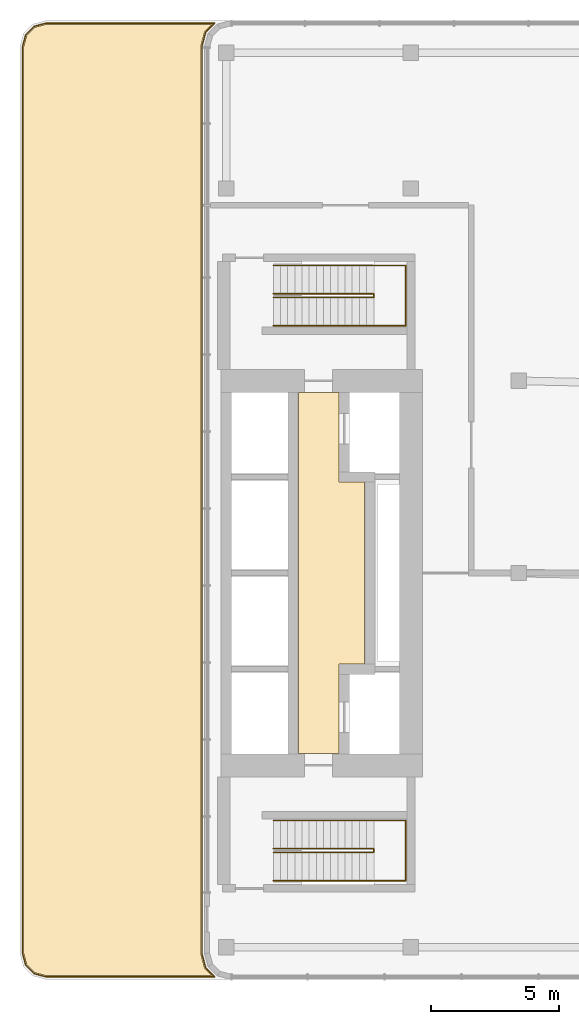
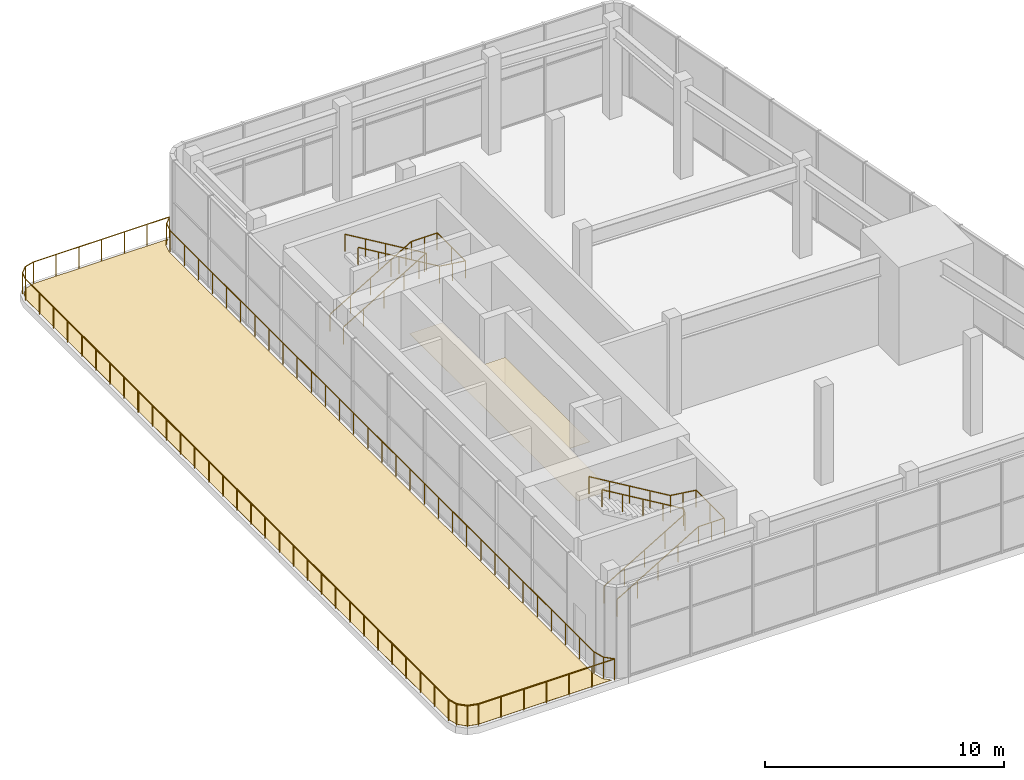
# One storey, part 8 of 8: 5 railings, 2 coverings.
"""IFC4 building model written with IfcOpenShell, lengths in metres."""

from ifc_helpers import new_model, si_unit, direction, frame, origin, origin_2d, place, context, subcontext, project, spatial, polyline, circle, outline, extrude, material, layer, layer_set, type_object, element, save


model = new_model("IFC4")

# Units and contexts
model_context = context("Model", 3, precision=1e-05, world=origin(), true_north=direction((0.0, 1.0)))
body_context = subcontext(model_context, "Body", "Model", "MODEL_VIEW")
ifc_project = project(units=[si_unit("LENGTHUNIT", "METRE"), si_unit("AREAUNIT", "SQUARE_METRE"), si_unit("VOLUMEUNIT", "CUBIC_METRE"), si_unit("PLANEANGLEUNIT", "RADIAN"), si_unit("MASSUNIT", "GRAM", prefix="KILO")], contexts=[model_context])

# Site, building, storey
site_placement = place(None, origin())
site = spatial("IfcSite", under=ifc_project, at=site_placement, CompositionType="ELEMENT")
building_placement = place(site_placement, origin())
building = spatial("IfcBuilding", under=site, at=building_placement, Name="Sheger Commons Tower", CompositionType="ELEMENT")
storey_placement = place(building_placement, frame((0.0, 0.0, 296.60009765625)))
storey = spatial("IfcBuildingStorey", under=building, at=storey_placement, Name="L76", CompositionType="ELEMENT", Elevation=296.60009765625)

# Railings
ifc_material_1 = material(Name="Black steel guard with glass infill", Category="steel")
railing_type_1 = type_object("IfcRailingType", Name="GUARD 1100", PredefinedType="GUARDRAIL", material=ifc_material_1)
railing_1_placement = place(storey_placement, frame((14.56298828125, 6.75, 0.0)))
element("IfcRailing", 1, at=railing_1_placement, inside=storey, type_object=railing_type_1, Name="Roof guard L76", PredefinedType="GUARDRAIL", context=body_context, shape_type="SweptSolid", body=[
    extrude(circle(Radius=0.02392578125, at=origin_2d()), frame((0.0, 0.0, 1.0771484375), z_axis=(-0.965655254015, 0.259826731483, 0.0), x_axis=(-0.259826731483, -0.965655254015, 0.0)), (0.0, 0.0, 1.0), 0.477294921875),
    extrude(circle(Radius=0.02392578125, at=origin_2d()), frame((-0.4609375, 0.1240234375, 1.0771484375), z_axis=(-0.707369890659, 0.706843573776, 0.0), x_axis=(-0.706843573776, -0.707369890659, 0.0)), (0.0, 0.0, 1.0), 0.4638671875),
    extrude(circle(Radius=0.02392578125, at=origin_2d()), frame((-0.7890625, 0.451904296875, 1.0771484375), z_axis=(-0.259698463175, 0.965689757751, 0.0), x_axis=(-0.965689757751, -0.259698463175, 0.0)), (0.0, 0.0, 1.0), 0.4775390625),
    extrude(circle(Radius=0.02392578125, at=origin_2d()), frame((-0.9130859375, 0.9130859375, 1.0771484375), z_axis=(0.0, 1.0, 0.0), x_axis=(-1.0, 0.0, 0.0)), (0.0, 0.0, 1.0), 35.3740234375),
    extrude(circle(Radius=0.02392578125, at=origin_2d()), frame((-0.9130859375, 36.287109375, 1.0771484375), z_axis=(0.259826731483, 0.965655254015, 0.0), x_axis=(-0.965655254015, 0.259826731483, 0.0)), (0.0, 0.0, 1.0), 0.477294921875),
    extrude(circle(Radius=0.02392578125, at=origin_2d()), frame((-0.7890625, 36.748046875, 1.0771484375), z_axis=(0.707369890659, 0.706843573776, 0.0), x_axis=(-0.706843573776, 0.707369890659, 0.0)), (0.0, 0.0, 1.0), 0.4638671875),
    extrude(circle(Radius=0.02392578125, at=origin_2d()), frame((-0.4609375, 37.075927734375, 1.0771484375), z_axis=(0.965655254015, 0.259826731483, 0.0), x_axis=(-0.259826731483, 0.965655254015, 0.0)), (0.0, 0.0, 1.0), 0.477294921875),
    extrude(circle(Radius=0.02392578125, at=origin_2d()), frame((0.0, 37.199951171875, 1.0771484375), z_axis=(1.0, 0.0, 0.0), x_axis=(0.0, 1.0, 0.0)), (0.0, 0.0, 1.0), 6.580078125),
    extrude(circle(Radius=0.02392578125, at=origin_2d()), frame((6.580078125, 37.199951171875, 1.0771484375), z_axis=(-0.708344060548, -0.705867333064, 0.0), x_axis=(0.705867333064, -0.708344060548, 0.0)), (0.0, 0.0, 1.0), 0.492919921875),
    extrude(circle(Radius=0.02392578125, at=origin_2d()), frame((6.23095703125, 36.85205078125, 1.0771484375), z_axis=(-0.258152815448, -0.966104095777, 0.0), x_axis=(0.966104095777, -0.258152815448, 0.0)), (0.0, 0.0, 1.0), 0.557861328125),
    extrude(circle(Radius=0.02392578125, at=origin_2d()), frame((6.0869140625, 36.31298828125, 1.0771484375), z_axis=(0.0, -1.0, 0.0), x_axis=(1.0, 0.0, 0.0)), (0.0, 0.0, 1.0), 35.426025390625),
    extrude(circle(Radius=0.02392578125, at=origin_2d()), frame((6.0869140625, 0.886962890625, 1.0771484375), z_axis=(0.258152815448, -0.966104095777, 0.0), x_axis=(0.966104095777, 0.258152815448, 0.0)), (0.0, 0.0, 1.0), 0.557861328125),
    extrude(circle(Radius=0.02392578125, at=origin_2d()), frame((6.23095703125, 0.347900390625, 1.0771484375), z_axis=(0.708344060548, -0.705867333064, 0.0), x_axis=(0.705867333064, 0.708344060548, 0.0)), (0.0, 0.0, 1.0), 0.492919921875),
    extrude(circle(Radius=0.02392578125, at=origin_2d()), frame((6.580078125, 0.0, 1.0771484375), z_axis=(-1.0, 0.0, 0.0), x_axis=(0.0, -1.0, 0.0)), (0.0, 0.0, 1.0), 6.580078125),
    extrude(circle(Radius=0.02099609375, at=origin_2d()), origin(), (0.0, 0.0, 1.0), 1.052001953125),
    extrude(circle(Radius=0.02099609375, at=origin_2d()), frame((-0.4609375, 0.1240234375, 0.0)), (0.0, 0.0, 1.0), 1.052001953125),
    extrude(circle(Radius=0.02099609375, at=origin_2d()), frame((-0.7890625, 0.451904296875, 0.0)), (0.0, 0.0, 1.0), 1.052001953125),
    extrude(circle(Radius=0.02099609375, at=origin_2d()), frame((-0.9130859375, 0.9130859375, 0.0)), (0.0, 0.0, 1.0), 1.052001953125),
    extrude(circle(Radius=0.02099609375, at=origin_2d()), frame((-0.9130859375, 2.09228515625, 0.0)), (0.0, 0.0, 1.0), 1.052001953125),
    extrude(circle(Radius=0.02099609375, at=origin_2d()), frame((-0.9130859375, 3.271240234375, 0.0)), (0.0, 0.0, 1.0), 1.052001953125),
    extrude(circle(Radius=0.02099609375, at=origin_2d()), frame((-0.9130859375, 4.450439453125, 0.0)), (0.0, 0.0, 1.0), 1.052001953125),
    extrude(circle(Radius=0.02099609375, at=origin_2d()), frame((-0.9130859375, 5.629638671875, 0.0)), (0.0, 0.0, 1.0), 1.052001953125),
    extrude(circle(Radius=0.02099609375, at=origin_2d()), frame((-0.9130859375, 6.808837890625, 0.0)), (0.0, 0.0, 1.0), 1.052001953125),
    extrude(circle(Radius=0.02099609375, at=origin_2d()), frame((-0.9130859375, 7.98779296875, 0.0)), (0.0, 0.0, 1.0), 1.052001953125),
    extrude(circle(Radius=0.02099609375, at=origin_2d()), frame((-0.9130859375, 9.1669921875, 0.0)), (0.0, 0.0, 1.0), 1.052001953125),
    extrude(circle(Radius=0.02099609375, at=origin_2d()), frame((-0.9130859375, 10.34619140625, 0.0)), (0.0, 0.0, 1.0), 1.052001953125),
    extrude(circle(Radius=0.02099609375, at=origin_2d()), frame((-0.9130859375, 11.525390625, 0.0)), (0.0, 0.0, 1.0), 1.052001953125),
    extrude(circle(Radius=0.02099609375, at=origin_2d()), frame((-0.9130859375, 12.704345703125, 0.0)), (0.0, 0.0, 1.0), 1.052001953125),
    extrude(circle(Radius=0.02099609375, at=origin_2d()), frame((-0.9130859375, 13.883544921875, 0.0)), (0.0, 0.0, 1.0), 1.052001953125),
    extrude(circle(Radius=0.02099609375, at=origin_2d()), frame((-0.9130859375, 15.062744140625, 0.0)), (0.0, 0.0, 1.0), 1.052001953125),
    extrude(circle(Radius=0.02099609375, at=origin_2d()), frame((-0.9130859375, 16.241943359375, 0.0)), (0.0, 0.0, 1.0), 1.052001953125),
    extrude(circle(Radius=0.02099609375, at=origin_2d()), frame((-0.9130859375, 17.4208984375, 0.0)), (0.0, 0.0, 1.0), 1.052001953125),
    extrude(circle(Radius=0.02099609375, at=origin_2d()), frame((-0.9130859375, 18.60009765625, 0.0)), (0.0, 0.0, 1.0), 1.052001953125),
    extrude(circle(Radius=0.02099609375, at=origin_2d()), frame((-0.9130859375, 19.779296875, 0.0)), (0.0, 0.0, 1.0), 1.052001953125),
    extrude(circle(Radius=0.02099609375, at=origin_2d()), frame((-0.9130859375, 20.958251953125, 0.0)), (0.0, 0.0, 1.0), 1.052001953125),
    extrude(circle(Radius=0.02099609375, at=origin_2d()), frame((-0.9130859375, 22.137451171875, 0.0)), (0.0, 0.0, 1.0), 1.052001953125),
    extrude(circle(Radius=0.02099609375, at=origin_2d()), frame((-0.9130859375, 23.316650390625, 0.0)), (0.0, 0.0, 1.0), 1.052001953125),
    extrude(circle(Radius=0.02099609375, at=origin_2d()), frame((-0.9130859375, 24.495849609375, 0.0)), (0.0, 0.0, 1.0), 1.052001953125),
    extrude(circle(Radius=0.02099609375, at=origin_2d()), frame((-0.9130859375, 25.6748046875, 0.0)), (0.0, 0.0, 1.0), 1.052001953125),
    extrude(circle(Radius=0.02099609375, at=origin_2d()), frame((-0.9130859375, 26.85400390625, 0.0)), (0.0, 0.0, 1.0), 1.052001953125),
    extrude(circle(Radius=0.02099609375, at=origin_2d()), frame((-0.9130859375, 28.033203125, 0.0)), (0.0, 0.0, 1.0), 1.052001953125),
    extrude(circle(Radius=0.02099609375, at=origin_2d()), frame((-0.9130859375, 29.21240234375, 0.0)), (0.0, 0.0, 1.0), 1.052001953125),
    extrude(circle(Radius=0.02099609375, at=origin_2d()), frame((-0.9130859375, 30.391357421875, 0.0)), (0.0, 0.0, 1.0), 1.052001953125),
    extrude(circle(Radius=0.02099609375, at=origin_2d()), frame((-0.9130859375, 31.570556640625, 0.0)), (0.0, 0.0, 1.0), 1.052001953125),
    extrude(circle(Radius=0.02099609375, at=origin_2d()), frame((-0.9130859375, 32.749755859375, 0.0)), (0.0, 0.0, 1.0), 1.052001953125),
    extrude(circle(Radius=0.02099609375, at=origin_2d()), frame((-0.9130859375, 33.928955078125, 0.0)), (0.0, 0.0, 1.0), 1.052001953125),
    extrude(circle(Radius=0.02099609375, at=origin_2d()), frame((-0.9130859375, 35.10791015625, 0.0)), (0.0, 0.0, 1.0), 1.052001953125),
    extrude(circle(Radius=0.02099609375, at=origin_2d()), frame((-0.9130859375, 36.287109375, 0.0)), (0.0, 0.0, 1.0), 1.052001953125),
    extrude(circle(Radius=0.02099609375, at=origin_2d()), frame((-0.7890625, 36.748046875, 0.0)), (0.0, 0.0, 1.0), 1.052001953125),
    extrude(circle(Radius=0.02099609375, at=origin_2d()), frame((-0.4609375, 37.075927734375, 0.0)), (0.0, 0.0, 1.0), 1.052001953125),
    extrude(circle(Radius=0.02099609375, at=origin_2d()), frame((0.0, 37.199951171875, 0.0)), (0.0, 0.0, 1.0), 1.052001953125),
    extrude(circle(Radius=0.02099609375, at=origin_2d()), frame((1.0966796875, 37.199951171875, 0.0)), (0.0, 0.0, 1.0), 1.052001953125),
    extrude(circle(Radius=0.02099609375, at=origin_2d()), frame((2.193359375, 37.199951171875, 0.0)), (0.0, 0.0, 1.0), 1.052001953125),
    extrude(circle(Radius=0.02099609375, at=origin_2d()), frame((3.2900390625, 37.199951171875, 0.0)), (0.0, 0.0, 1.0), 1.052001953125),
    extrude(circle(Radius=0.02099609375, at=origin_2d()), frame((4.38671875, 37.199951171875, 0.0)), (0.0, 0.0, 1.0), 1.052001953125),
    extrude(circle(Radius=0.02099609375, at=origin_2d()), frame((5.4833984375, 37.199951171875, 0.0)), (0.0, 0.0, 1.0), 1.052001953125),
    extrude(circle(Radius=0.02099609375, at=origin_2d()), frame((6.580078125, 37.199951171875, 0.0)), (0.0, 0.0, 1.0), 1.052001953125),
    extrude(circle(Radius=0.02099609375, at=origin_2d()), frame((6.23095703125, 36.85205078125, 0.0)), (0.0, 0.0, 1.0), 1.052001953125),
    extrude(circle(Radius=0.02099609375, at=origin_2d()), frame((6.0869140625, 36.31298828125, 0.0)), (0.0, 0.0, 1.0), 1.052001953125),
    extrude(circle(Radius=0.02099609375, at=origin_2d()), frame((6.0869140625, 35.132080078125, 0.0)), (0.0, 0.0, 1.0), 1.052001953125),
    extrude(circle(Radius=0.02099609375, at=origin_2d()), frame((6.0869140625, 33.951171875, 0.0)), (0.0, 0.0, 1.0), 1.052001953125),
    extrude(circle(Radius=0.02099609375, at=origin_2d()), frame((6.0869140625, 32.7705078125, 0.0)), (0.0, 0.0, 1.0), 1.052001953125),
    extrude(circle(Radius=0.02099609375, at=origin_2d()), frame((6.0869140625, 31.589599609375, 0.0)), (0.0, 0.0, 1.0), 1.052001953125),
    extrude(circle(Radius=0.02099609375, at=origin_2d()), frame((6.0869140625, 30.40869140625, 0.0)), (0.0, 0.0, 1.0), 1.052001953125),
    extrude(circle(Radius=0.02099609375, at=origin_2d()), frame((6.0869140625, 29.227783203125, 0.0)), (0.0, 0.0, 1.0), 1.052001953125),
    extrude(circle(Radius=0.02099609375, at=origin_2d()), frame((6.0869140625, 28.046875, 0.0)), (0.0, 0.0, 1.0), 1.052001953125),
    extrude(circle(Radius=0.02099609375, at=origin_2d()), frame((6.0869140625, 26.865966796875, 0.0)), (0.0, 0.0, 1.0), 1.052001953125),
    extrude(circle(Radius=0.02099609375, at=origin_2d()), frame((6.0869140625, 25.68505859375, 0.0)), (0.0, 0.0, 1.0), 1.052001953125),
    extrude(circle(Radius=0.02099609375, at=origin_2d()), frame((6.0869140625, 24.50439453125, 0.0)), (0.0, 0.0, 1.0), 1.052001953125),
    extrude(circle(Radius=0.02099609375, at=origin_2d()), frame((6.0869140625, 23.323486328125, 0.0)), (0.0, 0.0, 1.0), 1.052001953125),
    extrude(circle(Radius=0.02099609375, at=origin_2d()), frame((6.0869140625, 22.142578125, 0.0)), (0.0, 0.0, 1.0), 1.052001953125),
    extrude(circle(Radius=0.02099609375, at=origin_2d()), frame((6.0869140625, 20.961669921875, 0.0)), (0.0, 0.0, 1.0), 1.052001953125),
    extrude(circle(Radius=0.02099609375, at=origin_2d()), frame((6.0869140625, 19.78076171875, 0.0)), (0.0, 0.0, 1.0), 1.052001953125),
    extrude(circle(Radius=0.02099609375, at=origin_2d()), frame((6.0869140625, 18.60009765625, 0.0)), (0.0, 0.0, 1.0), 1.052001953125),
    extrude(circle(Radius=0.02099609375, at=origin_2d()), frame((6.0869140625, 17.419189453125, 0.0)), (0.0, 0.0, 1.0), 1.052001953125),
    extrude(circle(Radius=0.02099609375, at=origin_2d()), frame((6.0869140625, 16.23828125, 0.0)), (0.0, 0.0, 1.0), 1.052001953125),
    extrude(circle(Radius=0.02099609375, at=origin_2d()), frame((6.0869140625, 15.057373046875, 0.0)), (0.0, 0.0, 1.0), 1.052001953125),
    extrude(circle(Radius=0.02099609375, at=origin_2d()), frame((6.0869140625, 13.87646484375, 0.0)), (0.0, 0.0, 1.0), 1.052001953125),
    extrude(circle(Radius=0.02099609375, at=origin_2d()), frame((6.0869140625, 12.695556640625, 0.0)), (0.0, 0.0, 1.0), 1.052001953125),
    extrude(circle(Radius=0.02099609375, at=origin_2d()), frame((6.0869140625, 11.5146484375, 0.0)), (0.0, 0.0, 1.0), 1.052001953125),
    extrude(circle(Radius=0.02099609375, at=origin_2d()), frame((6.0869140625, 10.333984375, 0.0)), (0.0, 0.0, 1.0), 1.052001953125),
    extrude(circle(Radius=0.02099609375, at=origin_2d()), frame((6.0869140625, 9.153076171875, 0.0)), (0.0, 0.0, 1.0), 1.052001953125),
    extrude(circle(Radius=0.02099609375, at=origin_2d()), frame((6.0869140625, 7.97216796875, 0.0)), (0.0, 0.0, 1.0), 1.052001953125),
    extrude(circle(Radius=0.02099609375, at=origin_2d()), frame((6.0869140625, 6.791259765625, 0.0)), (0.0, 0.0, 1.0), 1.052001953125),
    extrude(circle(Radius=0.02099609375, at=origin_2d()), frame((6.0869140625, 5.6103515625, 0.0)), (0.0, 0.0, 1.0), 1.052001953125),
    extrude(circle(Radius=0.02099609375, at=origin_2d()), frame((6.0869140625, 4.4296875, 0.0)), (0.0, 0.0, 1.0), 1.052001953125),
    extrude(circle(Radius=0.02099609375, at=origin_2d()), frame((6.0869140625, 3.248779296875, 0.0)), (0.0, 0.0, 1.0), 1.052001953125),
    extrude(circle(Radius=0.02099609375, at=origin_2d()), frame((6.0869140625, 2.06787109375, 0.0)), (0.0, 0.0, 1.0), 1.052001953125),
    extrude(circle(Radius=0.02099609375, at=origin_2d()), frame((6.0869140625, 0.886962890625, 0.0)), (0.0, 0.0, 1.0), 1.052001953125),
    extrude(circle(Radius=0.02099609375, at=origin_2d()), frame((6.23095703125, 0.347900390625, 0.0)), (0.0, 0.0, 1.0), 1.052001953125),
    extrude(circle(Radius=0.02099609375, at=origin_2d()), frame((6.580078125, 0.0, 0.0)), (0.0, 0.0, 1.0), 1.052001953125),
    extrude(circle(Radius=0.02099609375, at=origin_2d()), frame((5.4833984375, 0.0, 0.0)), (0.0, 0.0, 1.0), 1.052001953125),
    extrude(circle(Radius=0.02099609375, at=origin_2d()), frame((4.38671875, 0.0, 0.0)), (0.0, 0.0, 1.0), 1.052001953125),
    extrude(circle(Radius=0.02099609375, at=origin_2d()), frame((3.2900390625, 0.0, 0.0)), (0.0, 0.0, 1.0), 1.052001953125),
    extrude(circle(Radius=0.02099609375, at=origin_2d()), frame((2.193359375, 0.0, 0.0)), (0.0, 0.0, 1.0), 1.052001953125),
    extrude(circle(Radius=0.02099609375, at=origin_2d()), frame((1.0966796875, 0.0, 0.0)), (0.0, 0.0, 1.0), 1.052001953125),
])
ifc_material_2 = material(Name="Steel handrail, black powder-coated", Category="steel")
railing_type_2 = type_object("IfcRailingType", Name="HANDRAIL 900", PredefinedType="HANDRAIL", material=ifc_material_2)
railing_2_placement = place(storey_placement, frame((23.429931640625, 11.60009765625, 0.16650390625)))
element("IfcRailing", 2, at=railing_2_placement, inside=storey, type_object=railing_type_2, Name="Stair S1 handrail L76", PredefinedType="HANDRAIL", context=body_context, shape_type="SweptSolid", body=[
    extrude(circle(Radius=0.02392578125, at=origin_2d()), frame((0.0, 0.0, 0.8759765625), z_axis=(0.859286724212, 0.0, 0.511494208758), x_axis=(0.0, 1.0, 0.0)), (0.0, 0.0, 1.0), 4.56201171875),
    extrude(circle(Radius=0.02392578125, at=origin_2d()), frame((3.920166015625, 0.0, 3.20947265625), z_axis=(0.0, 0.669085133364, 0.743185767027), x_axis=(-1.0, 0.0, 0.0)), (0.0, 0.0, 1.0), 0.22412109375),
    extrude(circle(Radius=0.02392578125, at=origin_2d()), frame((3.920166015625, 0.14990234375, 3.3759765625), z_axis=(-0.859286724212, 0.0, 0.511494208758), x_axis=(0.0, -1.0, 0.0)), (0.0, 0.0, 1.0), 4.56201171875),
    extrude(circle(Radius=0.02099609375, at=origin_2d()), origin(), (0.0, 0.0, 1.0), 0.851806640625),
    extrude(circle(Radius=0.02099609375, at=origin_2d()), frame((0.97998046875, 0.0, 0.58349609375)), (0.0, 0.0, 1.0), 0.851806640625),
    extrude(circle(Radius=0.02099609375, at=origin_2d()), frame((1.9599609375, 0.0, 1.166748046875)), (0.0, 0.0, 1.0), 0.851806640625),
    extrude(circle(Radius=0.02099609375, at=origin_2d()), frame((2.940185546875, 0.0, 1.75)), (0.0, 0.0, 1.0), 0.851806640625),
    extrude(circle(Radius=0.02099609375, at=origin_2d()), frame((3.920166015625, 0.0, 2.33349609375)), (0.0, 0.0, 1.0), 0.851806640625),
    extrude(circle(Radius=0.02099609375, at=origin_2d()), frame((3.920166015625, 0.14990234375, 2.5)), (0.0, 0.0, 1.0), 0.851806640625),
    extrude(circle(Radius=0.02099609375, at=origin_2d()), frame((2.940185546875, 0.14990234375, 3.08349609375)), (0.0, 0.0, 1.0), 0.851806640625),
    extrude(circle(Radius=0.02099609375, at=origin_2d()), frame((1.9599609375, 0.14990234375, 3.666748046875)), (0.0, 0.0, 1.0), 0.851806640625),
    extrude(circle(Radius=0.02099609375, at=origin_2d()), frame((0.97998046875, 0.14990234375, 4.25)), (0.0, 0.0, 1.0), 0.851806640625),
    extrude(circle(Radius=0.02099609375, at=origin_2d()), frame((0.0, 0.14990234375, 4.83349609375)), (0.0, 0.0, 1.0), 0.851806640625),
])
railing_3_placement = place(storey_placement, frame((23.429931640625, 10.5, 0.16650390625)))
element("IfcRailing", 3, at=railing_3_placement, inside=storey, type_object=railing_type_2, Name="Stair S1 handrail L76", PredefinedType="HANDRAIL", context=body_context, shape_type="SweptSolid", body=[
    extrude(circle(Radius=0.02392578125, at=origin_2d()), frame((0.0, 0.0, 0.8759765625), z_axis=(0.859286724212, 0.0, 0.511494208758), x_axis=(0.0, 1.0, 0.0)), (0.0, 0.0, 1.0), 4.56201171875),
    extrude(circle(Radius=0.02392578125, at=origin_2d()), frame((3.920166015625, 0.0, 3.20947265625), z_axis=(1.0, 0.0, 0.0), x_axis=(0.0, 1.0, 0.0)), (0.0, 0.0, 1.0), 1.25),
    extrude(circle(Radius=0.02392578125, at=origin_2d()), frame((5.170166015625, 0.0, 3.20947265625), z_axis=(0.0, 1.0, 0.0), x_axis=(-1.0, 0.0, 0.0)), (0.0, 0.0, 1.0), 2.35009765625),
    extrude(circle(Radius=0.02392578125, at=origin_2d()), frame((5.170166015625, 2.35009765625, 3.20947265625), z_axis=(-0.991244801086, 0.0, 0.132036905145), x_axis=(0.0, -1.0, 0.0)), (0.0, 0.0, 1.0), 1.260986328125),
    extrude(circle(Radius=0.02392578125, at=origin_2d()), frame((3.920166015625, 2.35009765625, 3.3759765625), z_axis=(-0.859286724212, 0.0, 0.511494208758), x_axis=(0.0, -1.0, 0.0)), (0.0, 0.0, 1.0), 4.56201171875),
    extrude(circle(Radius=0.02099609375, at=origin_2d()), origin(), (0.0, 0.0, 1.0), 0.851806640625),
    extrude(circle(Radius=0.02099609375, at=origin_2d()), frame((0.97998046875, 0.0, 0.58349609375)), (0.0, 0.0, 1.0), 0.851806640625),
    extrude(circle(Radius=0.02099609375, at=origin_2d()), frame((1.9599609375, 0.0, 1.166748046875)), (0.0, 0.0, 1.0), 0.851806640625),
    extrude(circle(Radius=0.02099609375, at=origin_2d()), frame((2.940185546875, 0.0, 1.75)), (0.0, 0.0, 1.0), 0.851806640625),
    extrude(circle(Radius=0.02099609375, at=origin_2d()), frame((3.920166015625, 0.0, 2.33349609375)), (0.0, 0.0, 1.0), 0.851806640625),
    extrude(circle(Radius=0.02099609375, at=origin_2d()), frame((4.545166015625, 0.0, 2.33349609375)), (0.0, 0.0, 1.0), 0.851806640625),
    extrude(circle(Radius=0.02099609375, at=origin_2d()), frame((5.170166015625, 0.0, 2.33349609375)), (0.0, 0.0, 1.0), 0.851806640625),
    extrude(circle(Radius=0.02099609375, at=origin_2d()), frame((5.170166015625, 1.175048828125, 2.33349609375)), (0.0, 0.0, 1.0), 0.851806640625),
    extrude(circle(Radius=0.02099609375, at=origin_2d()), frame((5.170166015625, 2.35009765625, 2.33349609375)), (0.0, 0.0, 1.0), 0.851806640625),
    extrude(circle(Radius=0.02099609375, at=origin_2d()), frame((4.545166015625, 2.35009765625, 2.416748046875)), (0.0, 0.0, 1.0), 0.851806640625),
    extrude(circle(Radius=0.02099609375, at=origin_2d()), frame((3.920166015625, 2.35009765625, 2.5)), (0.0, 0.0, 1.0), 0.851806640625),
    extrude(circle(Radius=0.02099609375, at=origin_2d()), frame((2.940185546875, 2.35009765625, 3.08349609375)), (0.0, 0.0, 1.0), 0.851806640625),
    extrude(circle(Radius=0.02099609375, at=origin_2d()), frame((1.9599609375, 2.35009765625, 3.666748046875)), (0.0, 0.0, 1.0), 0.851806640625),
    extrude(circle(Radius=0.02099609375, at=origin_2d()), frame((0.97998046875, 2.35009765625, 4.25)), (0.0, 0.0, 1.0), 0.851806640625),
    extrude(circle(Radius=0.02099609375, at=origin_2d()), frame((0.0, 2.35009765625, 4.83349609375)), (0.0, 0.0, 1.0), 0.851806640625),
])
railing_4_placement = place(storey_placement, frame((23.429931640625, 33.39990234375, 0.16650390625)))
element("IfcRailing", 4, at=railing_4_placement, inside=storey, type_object=railing_type_2, Name="Stair S2 handrail L76", PredefinedType="HANDRAIL", context=body_context, shape_type="SweptSolid", body=[
    extrude(circle(Radius=0.02392578125, at=origin_2d()), frame((0.0, 0.0, 0.8759765625), z_axis=(0.859286724212, 0.0, 0.511494208758), x_axis=(0.0, 1.0, 0.0)), (0.0, 0.0, 1.0), 4.56201171875),
    extrude(circle(Radius=0.02392578125, at=origin_2d()), frame((3.920166015625, 0.0, 3.20947265625), z_axis=(0.0, -0.669085133364, 0.743185767027), x_axis=(1.0, 0.0, 0.0)), (0.0, 0.0, 1.0), 0.22412109375),
    extrude(circle(Radius=0.02392578125, at=origin_2d()), frame((3.920166015625, -0.14990234375, 3.3759765625), z_axis=(-0.859286724212, 0.0, 0.511494208758), x_axis=(0.0, -1.0, 0.0)), (0.0, 0.0, 1.0), 4.56201171875),
    extrude(circle(Radius=0.02099609375, at=origin_2d()), origin(), (0.0, 0.0, 1.0), 0.851806640625),
    extrude(circle(Radius=0.02099609375, at=origin_2d()), frame((0.97998046875, 0.0, 0.58349609375)), (0.0, 0.0, 1.0), 0.851806640625),
    extrude(circle(Radius=0.02099609375, at=origin_2d()), frame((1.9599609375, 0.0, 1.166748046875)), (0.0, 0.0, 1.0), 0.851806640625),
    extrude(circle(Radius=0.02099609375, at=origin_2d()), frame((2.940185546875, 0.0, 1.75)), (0.0, 0.0, 1.0), 0.851806640625),
    extrude(circle(Radius=0.02099609375, at=origin_2d()), frame((3.920166015625, 0.0, 2.33349609375)), (0.0, 0.0, 1.0), 0.851806640625),
    extrude(circle(Radius=0.02099609375, at=origin_2d()), frame((3.920166015625, -0.14990234375, 2.5)), (0.0, 0.0, 1.0), 0.851806640625),
    extrude(circle(Radius=0.02099609375, at=origin_2d()), frame((2.940185546875, -0.14990234375, 3.08349609375)), (0.0, 0.0, 1.0), 0.851806640625),
    extrude(circle(Radius=0.02099609375, at=origin_2d()), frame((1.9599609375, -0.14990234375, 3.666748046875)), (0.0, 0.0, 1.0), 0.851806640625),
    extrude(circle(Radius=0.02099609375, at=origin_2d()), frame((0.97998046875, -0.14990234375, 4.25)), (0.0, 0.0, 1.0), 0.851806640625),
    extrude(circle(Radius=0.02099609375, at=origin_2d()), frame((0.0, -0.14990234375, 4.83349609375)), (0.0, 0.0, 1.0), 0.851806640625),
])
railing_5_placement = place(storey_placement, frame((23.429931640625, 34.5, 0.16650390625)))
element("IfcRailing", 5, at=railing_5_placement, inside=storey, type_object=railing_type_2, Name="Stair S2 handrail L76", PredefinedType="HANDRAIL", context=body_context, shape_type="SweptSolid", body=[
    extrude(circle(Radius=0.02392578125, at=origin_2d()), frame((0.0, 0.0, 0.8759765625), z_axis=(0.859286724212, 0.0, 0.511494208758), x_axis=(0.0, 1.0, 0.0)), (0.0, 0.0, 1.0), 4.56201171875),
    extrude(circle(Radius=0.02392578125, at=origin_2d()), frame((3.920166015625, 0.0, 3.20947265625), z_axis=(1.0, 0.0, 0.0), x_axis=(0.0, 1.0, 0.0)), (0.0, 0.0, 1.0), 1.25),
    extrude(circle(Radius=0.02392578125, at=origin_2d()), frame((5.170166015625, 0.0, 3.20947265625), z_axis=(0.0, -1.0, 0.0), x_axis=(1.0, 0.0, 0.0)), (0.0, 0.0, 1.0), 2.35009765625),
    extrude(circle(Radius=0.02392578125, at=origin_2d()), frame((5.170166015625, -2.35009765625, 3.20947265625), z_axis=(-0.991244801086, 0.0, 0.132036905145), x_axis=(0.0, -1.0, 0.0)), (0.0, 0.0, 1.0), 1.260986328125),
    extrude(circle(Radius=0.02392578125, at=origin_2d()), frame((3.920166015625, -2.35009765625, 3.3759765625), z_axis=(-0.859286724212, 0.0, 0.511494208758), x_axis=(0.0, -1.0, 0.0)), (0.0, 0.0, 1.0), 4.56201171875),
    extrude(circle(Radius=0.02099609375, at=origin_2d()), origin(), (0.0, 0.0, 1.0), 0.851806640625),
    extrude(circle(Radius=0.02099609375, at=origin_2d()), frame((0.97998046875, 0.0, 0.58349609375)), (0.0, 0.0, 1.0), 0.851806640625),
    extrude(circle(Radius=0.02099609375, at=origin_2d()), frame((1.9599609375, 0.0, 1.166748046875)), (0.0, 0.0, 1.0), 0.851806640625),
    extrude(circle(Radius=0.02099609375, at=origin_2d()), frame((2.940185546875, 0.0, 1.75)), (0.0, 0.0, 1.0), 0.851806640625),
    extrude(circle(Radius=0.02099609375, at=origin_2d()), frame((3.920166015625, 0.0, 2.33349609375)), (0.0, 0.0, 1.0), 0.851806640625),
    extrude(circle(Radius=0.02099609375, at=origin_2d()), frame((4.545166015625, 0.0, 2.33349609375)), (0.0, 0.0, 1.0), 0.851806640625),
    extrude(circle(Radius=0.02099609375, at=origin_2d()), frame((5.170166015625, 0.0, 2.33349609375)), (0.0, 0.0, 1.0), 0.851806640625),
    extrude(circle(Radius=0.02099609375, at=origin_2d()), frame((5.170166015625, -1.175048828125, 2.33349609375)), (0.0, 0.0, 1.0), 0.851806640625),
    extrude(circle(Radius=0.02099609375, at=origin_2d()), frame((5.170166015625, -2.35009765625, 2.33349609375)), (0.0, 0.0, 1.0), 0.851806640625),
    extrude(circle(Radius=0.02099609375, at=origin_2d()), frame((4.545166015625, -2.35009765625, 2.416748046875)), (0.0, 0.0, 1.0), 0.851806640625),
    extrude(circle(Radius=0.02099609375, at=origin_2d()), frame((3.920166015625, -2.35009765625, 2.5)), (0.0, 0.0, 1.0), 0.851806640625),
    extrude(circle(Radius=0.02099609375, at=origin_2d()), frame((2.940185546875, -2.35009765625, 3.08349609375)), (0.0, 0.0, 1.0), 0.851806640625),
    extrude(circle(Radius=0.02099609375, at=origin_2d()), frame((1.9599609375, -2.35009765625, 3.666748046875)), (0.0, 0.0, 1.0), 0.851806640625),
    extrude(circle(Radius=0.02099609375, at=origin_2d()), frame((0.97998046875, -2.35009765625, 4.25)), (0.0, 0.0, 1.0), 0.851806640625),
    extrude(circle(Radius=0.02099609375, at=origin_2d()), frame((0.0, -2.35009765625, 4.83349609375)), (0.0, 0.0, 1.0), 0.851806640625),
])

# Coverings
ifc_material_3 = material(Name="Reinforced bituminous roofing membrane, two layers", Category="concrete")
ifc_layer_1 = layer(ifc_material_3, 0.010009765625)
ifc_layer_set_1 = layer_set([ifc_layer_1], Name="ROOF MEMBRANE 10")
covering_type_1 = type_object("IfcCoveringType", Name="ROOF MEMBRANE 10", PredefinedType="ROOFING", material=ifc_layer_set_1)
covering_1_placement = place(storey_placement, origin())
element("IfcCovering", 6, at=covering_1_placement, inside=storey, type_object=covering_type_1, Name="Maintenance roof roof membrane", PredefinedType="ROOFING", context=body_context, shape_type="SweptSolid", body=[
    extrude(outline(polyline([(14.569091796875, 6.794921875), (21.033935546875, 6.794921875), (20.75390625, 7.074951171875), (20.60498046875, 7.631103515625), (20.60498046875, 43.069091796875), (20.75390625, 43.625), (21.033935546875, 43.905029296875), (14.569091796875, 43.905029296875), (14.125, 43.785888671875), (13.81396484375, 43.47509765625), (13.695068359375, 43.031005859375), (13.695068359375, 7.6689453125), (13.81396484375, 7.22509765625), (14.125, 6.9140625), (14.569091796875, 6.794921875)])), origin(), (0.0, 0.0, 1.0), 0.010009765625),
])
ifc_material_4 = material(Name="Gypsum plasterboard 15 mm on a suspended steel grid", Category="steel")
ifc_layer_2 = layer(ifc_material_4, 0.014892578125)
ifc_layer_set_2 = layer_set([ifc_layer_2], Name="SUSPENDED CEILING 15")
covering_type_2 = type_object("IfcCoveringType", Name="SUSPENDED CEILING 15", PredefinedType="CEILING", material=ifc_layer_set_2)
covering_2_placement = place(storey_placement, frame((0.0, 0.0, 2.699951171875)))
element("IfcCovering", 7, at=covering_2_placement, inside=storey, type_object=covering_type_2, Name="L76-FL ceiling", PredefinedType="CEILING", context=body_context, shape_type="SweptSolid", body=[
    extrude(outline(polyline([(24.405029296875, 15.455078125), (25.9951171875, 15.455078125), (25.9951171875, 18.955078125), (26.9951171875, 18.955078125), (26.9951171875, 26.044921875), (25.9951171875, 26.044921875), (25.9951171875, 29.544921875), (24.405029296875, 29.544921875), (24.405029296875, 15.455078125)])), origin(), (0.0, 0.0, 1.0), 0.014892578125),
])

save(model, "model.ifc")
